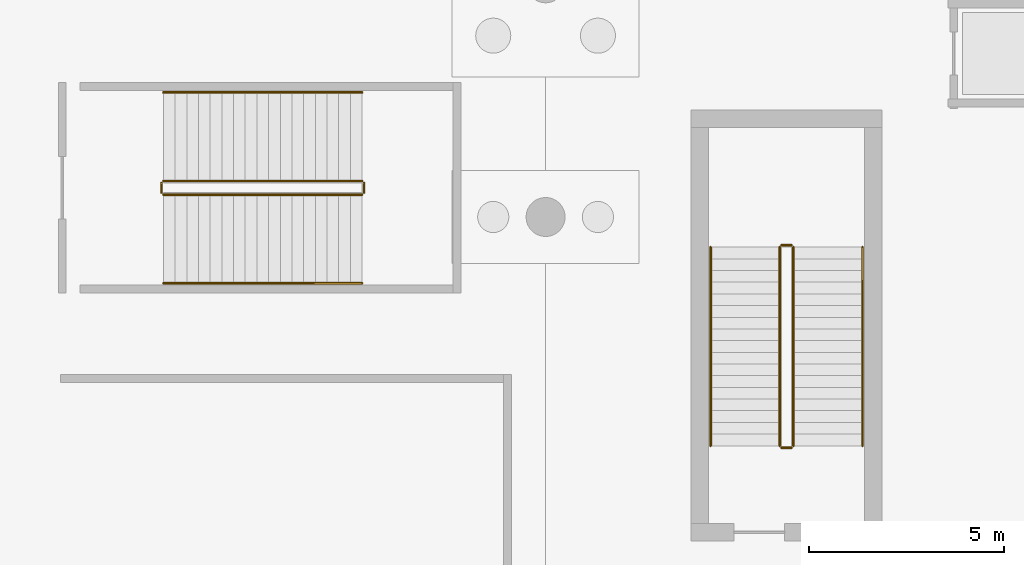
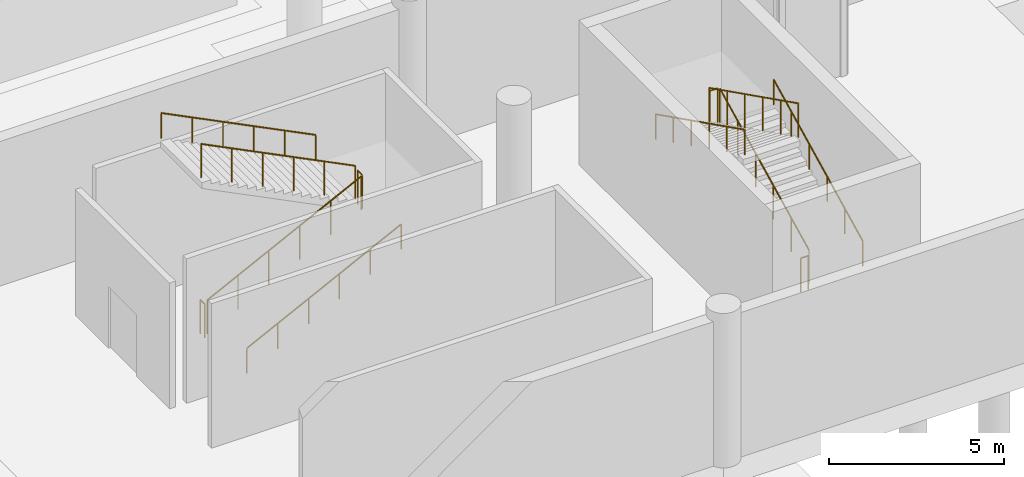
# One storey, part 18 of 26: 12 railings.
"""IFC4 building model written with IfcOpenShell, lengths in metres."""

from ifc_helpers import new_model, si_unit, direction, frame, origin, origin_2d, place, context, subcontext, project, spatial, circle, extrude, material, type_object, element, save


model = new_model("IFC4")

# Units and contexts
model_context = context("Model", 3, precision=1e-05, world=origin(), true_north=direction((0.0, 1.0)))
body_context = subcontext(model_context, "Body", "Model", "MODEL_VIEW")
ifc_project = project(units=[si_unit("LENGTHUNIT", "METRE"), si_unit("AREAUNIT", "SQUARE_METRE"), si_unit("VOLUMEUNIT", "CUBIC_METRE"), si_unit("PLANEANGLEUNIT", "RADIAN"), si_unit("MASSUNIT", "GRAM", prefix="KILO")], contexts=[model_context])

# Site, building, storey
site_placement = place(None, origin())
site = spatial("IfcSite", under=ifc_project, at=site_placement, CompositionType="ELEMENT")
building_placement = place(site_placement, origin())
building = spatial("IfcBuilding", under=site, at=building_placement, Name="Chuanluo Vaults Station", CompositionType="ELEMENT")
storey_placement = place(building_placement, frame((0.0, 0.0, -5.39990234375)))
storey = spatial("IfcBuildingStorey", under=building, at=storey_placement, Name="B1", CompositionType="ELEMENT", Elevation=-5.39990234375)

# Railings
ifc_material_1 = material(Name="Tempered laminated balustrade glass", Category="glass")
railing_type_1 = type_object("IfcRailingType", Name="RLG-GUARD-1200", PredefinedType="BALUSTRADE", material=ifc_material_1)
railing_1_placement = place(storey_placement, frame((78.362548828125, 24.125, 0.14990234375)))
element("IfcRailing", 1, at=railing_1_placement, inside=storey, type_object=railing_type_1, Name="B1 ST-06 stair guard 1", PredefinedType="BALUSTRADE", context=body_context, shape_type="SweptSolid", body=[
    extrude(circle(Radius=0.02392578125, at=origin_2d()), frame((0.0, 0.0, 1.17578125), z_axis=(0.0, 0.894427191, 0.4472135955), x_axis=(-1.0, 0.0, 0.0)), (0.0, 0.0, 1.0), 5.7021484375),
    extrude(circle(Radius=0.02099609375, at=origin_2d()), origin(), (0.0, 0.0, 1.0), 1.15185546875),
    extrude(circle(Radius=0.02099609375, at=origin_2d()), frame((0.0, 1.02001953125, 0.510009765625)), (0.0, 0.0, 1.0), 1.15185546875),
    extrude(circle(Radius=0.02099609375, at=origin_2d()), frame((0.0, 2.0400390625, 1.02001953125)), (0.0, 0.0, 1.0), 1.15185546875),
    extrude(circle(Radius=0.02099609375, at=origin_2d()), frame((0.0, 3.06005859375, 1.530029296875)), (0.0, 0.0, 1.0), 1.15185546875),
    extrude(circle(Radius=0.02099609375, at=origin_2d()), frame((0.0, 4.080078125, 2.0400390625)), (0.0, 0.0, 1.0), 1.15185546875),
    extrude(circle(Radius=0.02099609375, at=origin_2d()), frame((0.0, 5.10009765625, 2.550048828125)), (0.0, 0.0, 1.0), 1.15185546875),
])
railing_2_placement = place(storey_placement, frame((78.3125, 29.27490234375, 2.699951171875)))
element("IfcRailing", 2, at=railing_2_placement, inside=storey, type_object=railing_type_1, Name="B1 ST-06 stair guard 2", PredefinedType="BALUSTRADE", context=body_context, shape_type="SweptSolid", body=[
    extrude(circle(Radius=0.02392578125, at=origin_2d()), frame((0.0, 0.0, 1.17578125), z_axis=(-1.0, 0.0, 0.0), x_axis=(0.0, -1.0, 0.0)), (0.0, 0.0, 1.0), 0.25),
    extrude(circle(Radius=0.02099609375, at=origin_2d()), origin(), (0.0, 0.0, 1.0), 1.15185546875),
    extrude(circle(Radius=0.02099609375, at=origin_2d()), frame((-0.25, 0.0, 0.0)), (0.0, 0.0, 1.0), 1.15185546875),
])
railing_3_placement = place(storey_placement, frame((78.012451171875, 29.22509765625, 2.849853515625)))
element("IfcRailing", 3, at=railing_3_placement, inside=storey, type_object=railing_type_1, Name="B1 ST-06 stair guard 3", PredefinedType="BALUSTRADE", context=body_context, shape_type="SweptSolid", body=[
    extrude(circle(Radius=0.02392578125, at=origin_2d()), frame((0.0, 0.0, 1.17578125), z_axis=(0.0, -0.894427191, 0.4472135955), x_axis=(1.0, 0.0, 0.0)), (0.0, 0.0, 1.0), 5.7021484375),
    extrude(circle(Radius=0.02099609375, at=origin_2d()), origin(), (0.0, 0.0, 1.0), 1.15185546875),
    extrude(circle(Radius=0.02099609375, at=origin_2d()), frame((0.0, -1.02001953125, 0.510009765625)), (0.0, 0.0, 1.0), 1.15185546875),
    extrude(circle(Radius=0.02099609375, at=origin_2d()), frame((0.0, -2.0400390625, 1.02001953125)), (0.0, 0.0, 1.0), 1.15185546875),
    extrude(circle(Radius=0.02099609375, at=origin_2d()), frame((0.0, -3.06005859375, 1.530029296875)), (0.0, 0.0, 1.0), 1.15185546875),
    extrude(circle(Radius=0.02099609375, at=origin_2d()), frame((0.0, -4.080078125, 2.0400390625)), (0.0, 0.0, 1.0), 1.15185546875),
    extrude(circle(Radius=0.02099609375, at=origin_2d()), frame((0.0, -5.10009765625, 2.550048828125)), (0.0, 0.0, 1.0), 1.15185546875),
])
railing_4_placement = place(storey_placement, frame((78.3125, 24.074951171875, 0.0)))
element("IfcRailing", 4, at=railing_4_placement, inside=storey, type_object=railing_type_1, Name="B1 ST-06 stair guard 4", PredefinedType="BALUSTRADE", context=body_context, shape_type="SweptSolid", body=[
    extrude(circle(Radius=0.02392578125, at=origin_2d()), frame((0.0, 0.0, 1.17578125), z_axis=(-1.0, 0.0, 0.0), x_axis=(0.0, -1.0, 0.0)), (0.0, 0.0, 1.0), 0.25),
    extrude(circle(Radius=0.02099609375, at=origin_2d()), origin(), (0.0, 0.0, 1.0), 1.15185546875),
    extrude(circle(Radius=0.02099609375, at=origin_2d()), frame((-0.25, 0.0, 0.0)), (0.0, 0.0, 1.0), 1.15185546875),
])
railing_5_placement = place(storey_placement, frame((62.1875, 30.574951171875, 0.14990234375)))
element("IfcRailing", 5, at=railing_5_placement, inside=storey, type_object=railing_type_1, Name="B1 ST-24 stair guard 1", PredefinedType="BALUSTRADE", context=body_context, shape_type="SweptSolid", body=[
    extrude(circle(Radius=0.02392578125, at=origin_2d()), frame((0.0, 0.0, 1.17578125), z_axis=(0.894427191, 0.0, 0.4472135955), x_axis=(0.0, 1.0, 0.0)), (0.0, 0.0, 1.0), 5.7021484375),
    extrude(circle(Radius=0.02099609375, at=origin_2d()), origin(), (0.0, 0.0, 1.0), 1.15185546875),
    extrude(circle(Radius=0.02099609375, at=origin_2d()), frame((1.02001953125, 0.0, 0.510009765625)), (0.0, 0.0, 1.0), 1.15185546875),
    extrude(circle(Radius=0.02099609375, at=origin_2d()), frame((2.0400390625, 0.0, 1.02001953125)), (0.0, 0.0, 1.0), 1.15185546875),
    extrude(circle(Radius=0.02099609375, at=origin_2d()), frame((3.06005859375, 0.0, 1.530029296875)), (0.0, 0.0, 1.0), 1.15185546875),
    extrude(circle(Radius=0.02099609375, at=origin_2d()), frame((4.080078125, 0.0, 2.0400390625)), (0.0, 0.0, 1.0), 1.15185546875),
    extrude(circle(Radius=0.02099609375, at=origin_2d()), frame((5.10009765625, 0.0, 2.550048828125)), (0.0, 0.0, 1.0), 1.15185546875),
])
railing_6_placement = place(storey_placement, frame((67.33740234375, 30.625, 2.699951171875)))
element("IfcRailing", 6, at=railing_6_placement, inside=storey, type_object=railing_type_1, Name="B1 ST-24 stair guard 2", PredefinedType="BALUSTRADE", context=body_context, shape_type="SweptSolid", body=[
    extrude(circle(Radius=0.02392578125, at=origin_2d()), frame((0.0, 0.0, 1.17578125), z_axis=(0.0, 1.0, 0.0), x_axis=(-1.0, 0.0, 0.0)), (0.0, 0.0, 1.0), 0.25),
    extrude(circle(Radius=0.02099609375, at=origin_2d()), origin(), (0.0, 0.0, 1.0), 1.15185546875),
    extrude(circle(Radius=0.02099609375, at=origin_2d()), frame((0.0, 0.25, 0.0)), (0.0, 0.0, 1.0), 1.15185546875),
])
railing_7_placement = place(storey_placement, frame((67.28759765625, 30.925048828125, 2.849853515625)))
element("IfcRailing", 7, at=railing_7_placement, inside=storey, type_object=railing_type_1, Name="B1 ST-24 stair guard 3", PredefinedType="BALUSTRADE", context=body_context, shape_type="SweptSolid", body=[
    extrude(circle(Radius=0.02392578125, at=origin_2d()), frame((0.0, 0.0, 1.17578125), z_axis=(-0.894427191, 0.0, 0.4472135955), x_axis=(0.0, -1.0, 0.0)), (0.0, 0.0, 1.0), 5.7021484375),
    extrude(circle(Radius=0.02099609375, at=origin_2d()), origin(), (0.0, 0.0, 1.0), 1.15185546875),
    extrude(circle(Radius=0.02099609375, at=origin_2d()), frame((-1.02001953125, 0.0, 0.510009765625)), (0.0, 0.0, 1.0), 1.15185546875),
    extrude(circle(Radius=0.02099609375, at=origin_2d()), frame((-2.0400390625, 0.0, 1.02001953125)), (0.0, 0.0, 1.0), 1.15185546875),
    extrude(circle(Radius=0.02099609375, at=origin_2d()), frame((-3.06005859375, 0.0, 1.530029296875)), (0.0, 0.0, 1.0), 1.15185546875),
    extrude(circle(Radius=0.02099609375, at=origin_2d()), frame((-4.080078125, 0.0, 2.0400390625)), (0.0, 0.0, 1.0), 1.15185546875),
    extrude(circle(Radius=0.02099609375, at=origin_2d()), frame((-5.10009765625, 0.0, 2.550048828125)), (0.0, 0.0, 1.0), 1.15185546875),
])
railing_8_placement = place(storey_placement, frame((62.137451171875, 30.625, 0.0)))
element("IfcRailing", 8, at=railing_8_placement, inside=storey, type_object=railing_type_1, Name="B1 ST-24 stair guard 4", PredefinedType="BALUSTRADE", context=body_context, shape_type="SweptSolid", body=[
    extrude(circle(Radius=0.02392578125, at=origin_2d()), frame((0.0, 0.0, 1.17578125), z_axis=(0.0, 1.0, 0.0), x_axis=(-1.0, 0.0, 0.0)), (0.0, 0.0, 1.0), 0.25),
    extrude(circle(Radius=0.02099609375, at=origin_2d()), origin(), (0.0, 0.0, 1.0), 1.15185546875),
    extrude(circle(Radius=0.02099609375, at=origin_2d()), frame((0.0, 0.25, 0.0)), (0.0, 0.0, 1.0), 1.15185546875),
])
ifc_material_2 = material(Name="Brushed stainless steel 304", Category="steel")
railing_type_2 = type_object("IfcRailingType", Name="RLG-HAND-900", PredefinedType="HANDRAIL", material=ifc_material_2)
railing_9_placement = place(storey_placement, frame((80.137451171875, 24.125, 0.14990234375)))
element("IfcRailing", 9, at=railing_9_placement, inside=storey, type_object=railing_type_2, Name="B1 ST-06 stair handrail 1", PredefinedType="HANDRAIL", context=body_context, shape_type="SweptSolid", body=[
    extrude(circle(Radius=0.02392578125, at=origin_2d()), frame((0.0, 0.0, 0.8759765625), z_axis=(0.0, 0.894427191, 0.4472135955), x_axis=(-1.0, 0.0, 0.0)), (0.0, 0.0, 1.0), 5.7021484375),
    extrude(circle(Radius=0.02099609375, at=origin_2d()), origin(), (0.0, 0.0, 1.0), 0.851806640625),
    extrude(circle(Radius=0.02099609375, at=origin_2d()), frame((0.0, 1.02001953125, 0.510009765625)), (0.0, 0.0, 1.0), 0.851806640625),
    extrude(circle(Radius=0.02099609375, at=origin_2d()), frame((0.0, 2.0400390625, 1.02001953125)), (0.0, 0.0, 1.0), 0.851806640625),
    extrude(circle(Radius=0.02099609375, at=origin_2d()), frame((0.0, 3.06005859375, 1.530029296875)), (0.0, 0.0, 1.0), 0.851806640625),
    extrude(circle(Radius=0.02099609375, at=origin_2d()), frame((0.0, 4.080078125, 2.0400390625)), (0.0, 0.0, 1.0), 0.851806640625),
    extrude(circle(Radius=0.02099609375, at=origin_2d()), frame((0.0, 5.10009765625, 2.550048828125)), (0.0, 0.0, 1.0), 0.851806640625),
])
railing_10_placement = place(storey_placement, frame((76.237548828125, 29.22509765625, 2.849853515625)))
element("IfcRailing", 10, at=railing_10_placement, inside=storey, type_object=railing_type_2, Name="B1 ST-06 stair handrail 2", PredefinedType="HANDRAIL", context=body_context, shape_type="SweptSolid", body=[
    extrude(circle(Radius=0.02392578125, at=origin_2d()), frame((0.0, 0.0, 0.8759765625), z_axis=(0.0, -0.894427191, 0.4472135955), x_axis=(1.0, 0.0, 0.0)), (0.0, 0.0, 1.0), 5.7021484375),
    extrude(circle(Radius=0.02099609375, at=origin_2d()), origin(), (0.0, 0.0, 1.0), 0.851806640625),
    extrude(circle(Radius=0.02099609375, at=origin_2d()), frame((0.0, -1.02001953125, 0.510009765625)), (0.0, 0.0, 1.0), 0.851806640625),
    extrude(circle(Radius=0.02099609375, at=origin_2d()), frame((0.0, -2.0400390625, 1.02001953125)), (0.0, 0.0, 1.0), 0.851806640625),
    extrude(circle(Radius=0.02099609375, at=origin_2d()), frame((0.0, -3.06005859375, 1.530029296875)), (0.0, 0.0, 1.0), 0.851806640625),
    extrude(circle(Radius=0.02099609375, at=origin_2d()), frame((0.0, -4.080078125, 2.0400390625)), (0.0, 0.0, 1.0), 0.851806640625),
    extrude(circle(Radius=0.02099609375, at=origin_2d()), frame((0.0, -5.10009765625, 2.550048828125)), (0.0, 0.0, 1.0), 0.851806640625),
])
railing_11_placement = place(storey_placement, frame((62.1875, 28.300048828125, 0.14990234375)))
element("IfcRailing", 11, at=railing_11_placement, inside=storey, type_object=railing_type_2, Name="B1 ST-24 stair handrail 1", PredefinedType="HANDRAIL", context=body_context, shape_type="SweptSolid", body=[
    extrude(circle(Radius=0.02392578125, at=origin_2d()), frame((0.0, 0.0, 0.8759765625), z_axis=(0.894427191, 0.0, 0.4472135955), x_axis=(0.0, 1.0, 0.0)), (0.0, 0.0, 1.0), 5.7021484375),
    extrude(circle(Radius=0.02099609375, at=origin_2d()), origin(), (0.0, 0.0, 1.0), 0.851806640625),
    extrude(circle(Radius=0.02099609375, at=origin_2d()), frame((1.02001953125, 0.0, 0.510009765625)), (0.0, 0.0, 1.0), 0.851806640625),
    extrude(circle(Radius=0.02099609375, at=origin_2d()), frame((2.0400390625, 0.0, 1.02001953125)), (0.0, 0.0, 1.0), 0.851806640625),
    extrude(circle(Radius=0.02099609375, at=origin_2d()), frame((3.06005859375, 0.0, 1.530029296875)), (0.0, 0.0, 1.0), 0.851806640625),
    extrude(circle(Radius=0.02099609375, at=origin_2d()), frame((4.080078125, 0.0, 2.0400390625)), (0.0, 0.0, 1.0), 0.851806640625),
    extrude(circle(Radius=0.02099609375, at=origin_2d()), frame((5.10009765625, 0.0, 2.550048828125)), (0.0, 0.0, 1.0), 0.851806640625),
])
railing_12_placement = place(storey_placement, frame((67.28759765625, 33.199951171875, 2.849853515625)))
element("IfcRailing", 12, at=railing_12_placement, inside=storey, type_object=railing_type_2, Name="B1 ST-24 stair handrail 2", PredefinedType="HANDRAIL", context=body_context, shape_type="SweptSolid", body=[
    extrude(circle(Radius=0.02392578125, at=origin_2d()), frame((0.0, 0.0, 0.8759765625), z_axis=(-0.894427191, 0.0, 0.4472135955), x_axis=(0.0, -1.0, 0.0)), (0.0, 0.0, 1.0), 5.7021484375),
    extrude(circle(Radius=0.02099609375, at=origin_2d()), origin(), (0.0, 0.0, 1.0), 0.851806640625),
    extrude(circle(Radius=0.02099609375, at=origin_2d()), frame((-1.02001953125, 0.0, 0.510009765625)), (0.0, 0.0, 1.0), 0.851806640625),
    extrude(circle(Radius=0.02099609375, at=origin_2d()), frame((-2.0400390625, 0.0, 1.02001953125)), (0.0, 0.0, 1.0), 0.851806640625),
    extrude(circle(Radius=0.02099609375, at=origin_2d()), frame((-3.06005859375, 0.0, 1.530029296875)), (0.0, 0.0, 1.0), 0.851806640625),
    extrude(circle(Radius=0.02099609375, at=origin_2d()), frame((-4.080078125, 0.0, 2.0400390625)), (0.0, 0.0, 1.0), 0.851806640625),
    extrude(circle(Radius=0.02099609375, at=origin_2d()), frame((-5.10009765625, 0.0, 2.550048828125)), (0.0, 0.0, 1.0), 0.851806640625),
])

save(model, "model.ifc")
